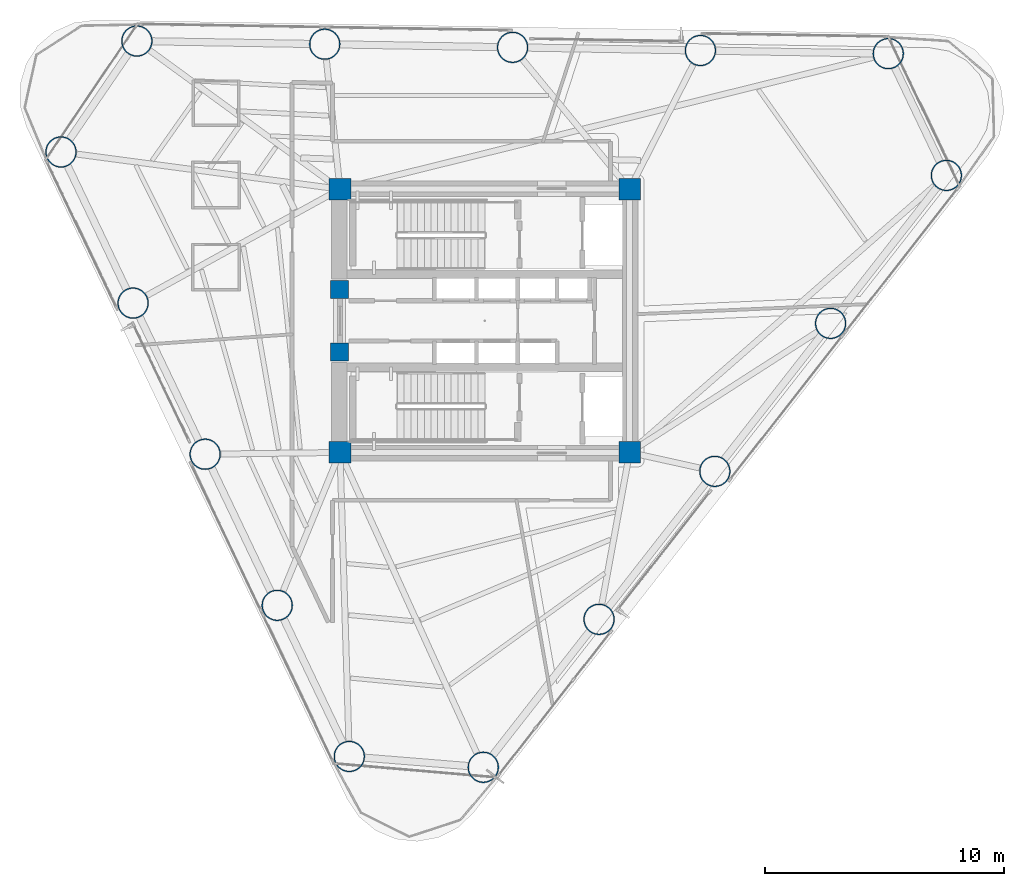
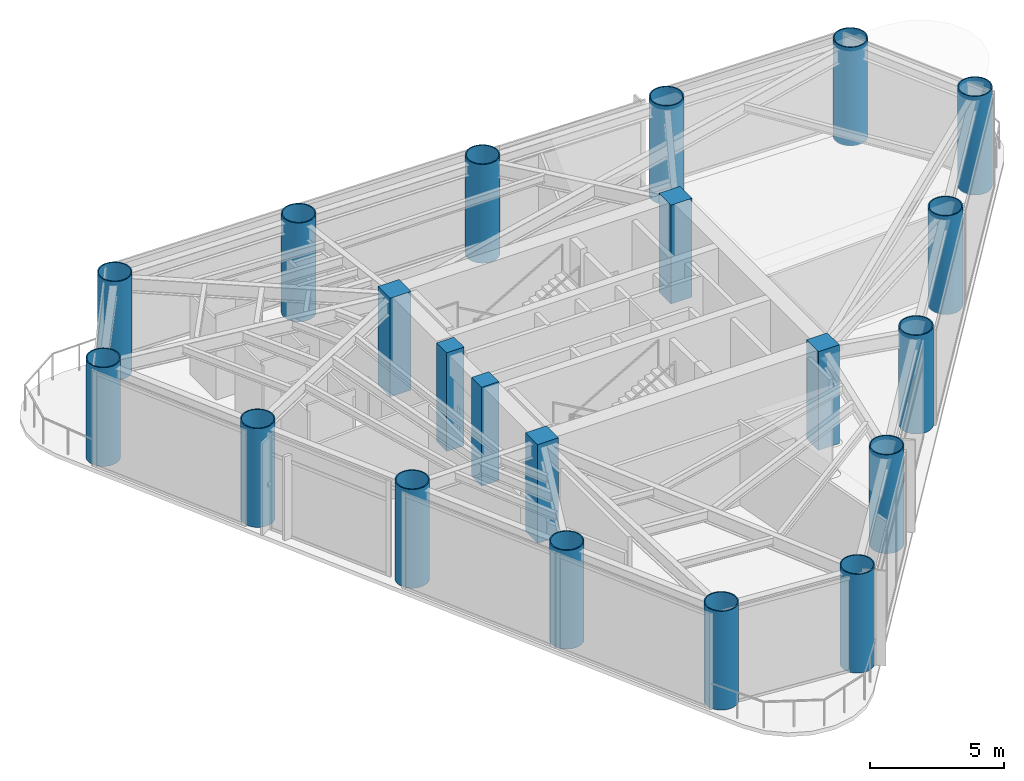
# One storey, part 1 of 11: 21 columns.
"""IFC4 building model written with IfcOpenShell, lengths in metres."""

from ifc_helpers import new_model, si_unit, direction, frame, origin, origin_2d, place, context, subcontext, project, spatial, rectangle, hollow_circle, extrude, source, transform, mapped, material, material_profile, profile_set, type_object, element, save


model = new_model("IFC4")

# Units and contexts
model_context = context("Model", 3, precision=1e-05, world=origin(), true_north=direction((0.0, 1.0)))
body_context = subcontext(model_context, "Body", "Model", "MODEL_VIEW")
ifc_project = project(units=[si_unit("LENGTHUNIT", "METRE"), si_unit("AREAUNIT", "SQUARE_METRE"), si_unit("VOLUMEUNIT", "CUBIC_METRE"), si_unit("PLANEANGLEUNIT", "RADIAN"), si_unit("MASSUNIT", "GRAM", prefix="KILO")], contexts=[model_context])

# Site, building, storey
site_placement = place(None, origin())
site = spatial("IfcSite", under=ifc_project, at=site_placement, CompositionType="ELEMENT")
building_placement = place(site_placement, origin())
building = spatial("IfcBuilding", under=site, at=building_placement, Name="Yunling Apex Tower", CompositionType="ELEMENT")
storey_placement = place(building_placement, frame((0.0, 0.0, 125.0)))
storey = spatial("IfcBuildingStorey", under=building, at=storey_placement, Name="L30", CompositionType="ELEMENT", Elevation=125.0)

# Columns
ifc_material_1 = material(Name="Concrete C60", Category="concrete")
ifc_material_profile_1 = material_profile(ifc_material_1, rectangle(XDim=0.89990234375, YDim=0.89990234375, at=origin_2d()))
ifc_profile_set_1 = profile_set([ifc_material_profile_1], Name="Concrete C60")
column_type_1 = type_object("IfcColumnType", Name="PC-SRC-3", PredefinedType="COLUMN", material=ifc_profile_set_1)
shared_shape_1 = source(origin(), body_context, "Body", "SweptSolid", [
    extrude(rectangle(XDim=0.89990234375, YDim=0.89990234375, at=origin_2d()), origin(), (0.0, 0.0, 1.0), 4.5),
])
for number, where, z_axis, x_axis, name in (
    (1, (-6.050048828125, -5.5, 0.0), (0.0, 0.0, 1.0), (1.0, 0.0, 0.0), "L30 Core Spine Column CC-SW"),
    (2, (6.050048828125, -5.5, 0.0), (0.0, 0.0, 1.0), (1.0, 0.0, 0.0), "L30 Core Spine Column CC-SE"),
    (3, (6.050048828125, 5.5, 0.0), (0.0, 0.0, 1.0), (1.0, 0.0, 0.0), "L30 Core Spine Column CC-NE"),
    (4, (-6.050048828125, 5.5, 0.0), (0.0, 0.0, 1.0), (1.0, 0.0, 0.0), "L30 Core Spine Column CC-NW"),
):
    element("IfcColumn", number, at=place(storey_placement, frame(where, z_axis=z_axis, x_axis=x_axis)), inside=storey, type_object=column_type_1, Name=name, PredefinedType="COLUMN", context=body_context, shape_type="MappedRepresentation", body=[
        mapped(shared_shape_1, transform((0.0, 0.0, 0.0), scale=1.0)),
    ])
ifc_material_2 = material(Name="Concrete C50", Category="concrete")
ifc_material_profile_2 = material_profile(ifc_material_2, rectangle(XDim=0.75, YDim=0.75, at=origin_2d()))
ifc_profile_set_2 = profile_set([ifc_material_profile_2], Name="Concrete C50")
column_type_2 = type_object("IfcColumnType", Name="PC-SRC-4", PredefinedType="COLUMN", material=ifc_profile_set_2)
shared_shape_2 = source(origin(), body_context, "Body", "SweptSolid", [
    extrude(rectangle(XDim=0.75, YDim=0.75, at=origin_2d()), origin(), (0.0, 0.0, 1.0), 4.5),
])
for number, where, z_axis, x_axis, name in (
    (5, (-6.074951171875, -1.300048828125, 0.0), (0.0, 0.0, 1.0), (1.0, 0.0, 0.0), "L30 Core West Portal Jamb Column S"),
    (6, (-6.074951171875, 1.300048828125, 0.0), (0.0, 0.0, 1.0), (1.0, 0.0, 0.0), "L30 Core West Portal Jamb Column N"),
):
    element("IfcColumn", number, at=place(storey_placement, frame(where, z_axis=z_axis, x_axis=x_axis)), inside=storey, type_object=column_type_2, Name=name, PredefinedType="COLUMN", context=body_context, shape_type="MappedRepresentation", body=[
        mapped(shared_shape_2, transform((0.0, 0.0, 0.0), scale=1.0)),
    ])
ifc_material_3 = material(Name="Steel Q390GJC", Category="steel")
ifc_material_profile_3 = material_profile(ifc_material_3, hollow_circle(Radius=0.64990234375, WallThickness=0.044921875, at=origin_2d()))
ifc_profile_set_3 = profile_set([ifc_material_profile_3], Name="Steel Q390GJC")
column_type_3 = type_object("IfcColumnType", Name="MC-CFST-3", PredefinedType="COLUMN", material=ifc_profile_set_3)
shared_shape_3 = source(origin(), body_context, "Body", "SweptSolid", [
    extrude(hollow_circle(Radius=0.64990234375, WallThickness=0.044921875, at=origin_2d()), origin(), (0.0, 0.0, 1.0), 4.5),
])
for number, where, z_axis, x_axis, name in (
    (7, (-0.06396484375, -18.654541015625, 0.0), (0.0, 0.0, 1.0), (1.0, 0.0, 0.0), "L30 Perimeter CFST Mega-Column P01"),
    (8, (4.773193359375, -12.471923828125, 0.0), (0.0, 0.0, 1.0), (1.0, 0.0, 0.0), "L30 Perimeter CFST Mega-Column P02"),
    (9, (9.610595703125, -6.289306640625, 0.0), (0.0, 0.0, 1.0), (1.0, 0.0, 0.0), "L30 Perimeter CFST Mega-Column P03"),
    (10, (14.447998046875, -0.106689453125, 0.0), (0.0, 0.0, 1.0), (1.0, 0.0, 0.0), "L30 Perimeter CFST Mega-Column P04"),
    (11, (19.28515625, 6.075927734375, 0.0), (0.0, 0.0, 1.0), (1.0, 0.0, 0.0), "L30 Perimeter CFST Mega-Column P05"),
    (12, (16.8583984375, 11.163818359375, 0.0), (0.0, 0.0, 1.0), (1.0, 0.0, 0.0), "L30 Perimeter CFST Mega-Column P06"),
    (13, (9.009521484375, 11.295166015625, 0.0), (0.0, 0.0, 1.0), (1.0, 0.0, 0.0), "L30 Perimeter CFST Mega-Column P07"),
    (14, (1.160400390625, 11.4267578125, 0.0), (0.0, 0.0, 1.0), (1.0, 0.0, 0.0), "L30 Perimeter CFST Mega-Column P08"),
    (15, (-6.6884765625, 11.558349609375, 0.0), (0.0, 0.0, 1.0), (1.0, 0.0, 0.0), "L30 Perimeter CFST Mega-Column P09"),
    (16, (-14.53759765625, 11.68994140625, 0.0), (0.0, 0.0, 1.0), (1.0, 0.0, 0.0), "L30 Perimeter CFST Mega-Column P10"),
    (17, (-17.70849609375, 7.0546875, 0.0), (0.0, 0.0, 1.0), (1.0, 0.0, 0.0), "L30 Perimeter CFST Mega-Column P11"),
    (18, (-14.69677734375, 0.740478515625, 0.0), (0.0, 0.0, 1.0), (1.0, 0.0, 0.0), "L30 Perimeter CFST Mega-Column P12"),
    (19, (-11.685302734375, -5.573486328125, 0.0), (0.0, 0.0, 1.0), (1.0, 0.0, 0.0), "L30 Perimeter CFST Mega-Column P13"),
    (20, (-8.673583984375, -11.8876953125, 0.0), (0.0, 0.0, 1.0), (1.0, 0.0, 0.0), "L30 Perimeter CFST Mega-Column P14"),
    (21, (-5.661865234375, -18.201904296875, 0.0), (0.0, 0.0, 1.0), (1.0, 0.0, 0.0), "L30 Perimeter CFST Mega-Column P15"),
):
    element("IfcColumn", number, at=place(storey_placement, frame(where, z_axis=z_axis, x_axis=x_axis)), inside=storey, type_object=column_type_3, Name=name, PredefinedType="COLUMN", context=body_context, shape_type="MappedRepresentation", body=[
        mapped(shared_shape_3, transform((0.0, 0.0, 0.0), scale=1.0)),
    ])

save(model, "model.ifc")
